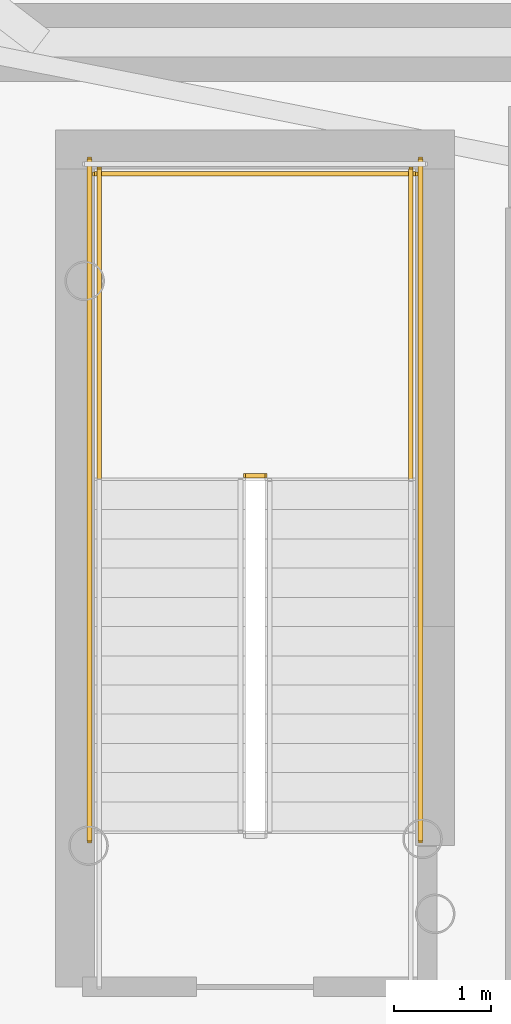
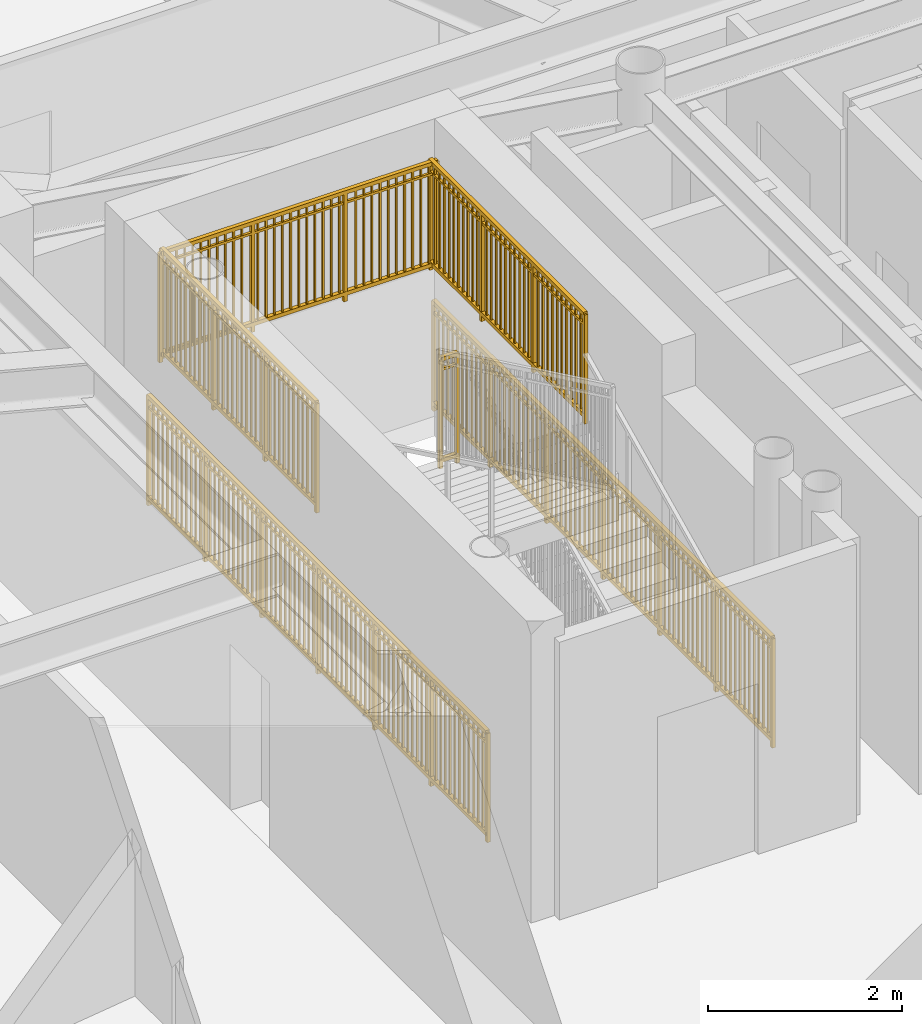
# One storey, part 18 of 21: 6 railings.
"""IFC4 building model written with IfcOpenShell, lengths in metres."""

from ifc_helpers import new_model, si_unit, direction, frame, origin, origin_2d, place, context, subcontext, project, spatial, rectangle, extrude, source, transform, mapped, material, type_object, element, save


model = new_model("IFC4")

# Units and contexts
model_context = context("Model", 3, precision=1e-05, world=origin(), true_north=direction((0.0, 1.0)))
body_context = subcontext(model_context, "Body", "Model", "MODEL_VIEW")
ifc_project = project(units=[si_unit("LENGTHUNIT", "METRE"), si_unit("AREAUNIT", "SQUARE_METRE"), si_unit("VOLUMEUNIT", "CUBIC_METRE"), si_unit("PLANEANGLEUNIT", "RADIAN"), si_unit("MASSUNIT", "GRAM", prefix="KILO")], contexts=[model_context])

# Site, building, storey
site_placement = place(None, origin())
site = spatial("IfcSite", under=ifc_project, at=site_placement, CompositionType="ELEMENT")
building_placement = place(site_placement, origin())
building = spatial("IfcBuilding", under=site, at=building_placement, Name="Linh Dai School and Residence Tower", CompositionType="ELEMENT")
storey_placement = place(building_placement, frame((0.0, 0.0, 134.699951171875)))
storey = spatial("IfcBuildingStorey", under=building, at=storey_placement, Name="L32", CompositionType="ELEMENT", Elevation=134.699951171875)

# Railings
ifc_material = material(Name="Structural Steel S355JR", Category="steel")
railing_type = type_object("IfcRailingType", Name="RL-ST-GUARD-1400", PredefinedType="GUARDRAIL", material=ifc_material)
shared_shape_1 = source(origin(), body_context, "Body", "SweptSolid", [
    extrude(rectangle(XDim=0.048095703125, YDim=0.048095703125, at=origin_2d()), frame((0.0, 0.0, 1.3759765625), z_axis=(-1.0, 0.0, 0.0), x_axis=(0.0, -1.0, 0.0)), (0.0, 0.0, 1.0), 0.199951171875),
    extrude(rectangle(XDim=0.048095703125, YDim=0.048095703125, at=origin_2d()), frame((0.0, 0.0, 0.10009765625), z_axis=(-1.0, 0.0, 0.0), x_axis=(0.0, -1.0, 0.0)), (0.0, 0.0, 1.0), 0.199951171875),
    extrude(rectangle(XDim=0.030029296875, YDim=0.030029296875, at=origin_2d()), frame((0.0, 0.0, 1.239990234375), z_axis=(-1.0, 0.0, 0.0), x_axis=(0.0, -1.0, 0.0)), (0.0, 0.0, 1.0), 0.199951171875),
    extrude(rectangle(XDim=0.0419921875, YDim=0.0419921875, at=origin_2d()), origin(), (0.0, 0.0, 1.0), 1.3759765625),
    extrude(rectangle(XDim=0.0419921875, YDim=0.0419921875, at=origin_2d()), frame((-0.199951171875, 0.0, 0.0)), (0.0, 0.0, 1.0), 1.3759765625),
])
railing_1_placement = place(storey_placement, frame((29.429931640625, 29.35009765625, 1.875)))
element("IfcRailing", 1, at=railing_1_placement, inside=storey, type_object=railing_type, Name="L32 ST1 stair guard 2", PredefinedType="GUARDRAIL", context=body_context, shape_type="MappedRepresentation", body=[
    mapped(shared_shape_1, transform((0.0, 0.0, 0.0), x_axis=(1.0, 0.0, 0.0), y_axis=(0.0, 1.0, 0.0), z_axis=(0.0, 0.0, 1.0), scale=1.0)),
])
shared_shape_2 = source(origin(), body_context, "Body", "SweptSolid", [
    extrude(rectangle(XDim=0.048095703125, YDim=0.048095703125, at=origin_2d()), frame((0.0, 0.0, 1.3759765625), z_axis=(-1.0, 0.0, 0.0), x_axis=(0.0, -1.0, 0.0)), (0.0, 0.0, 1.0), 3.300048828125),
    extrude(rectangle(XDim=0.048095703125, YDim=0.048095703125, at=origin_2d()), frame((0.0, 0.0, 0.10009765625), z_axis=(-1.0, 0.0, 0.0), x_axis=(0.0, -1.0, 0.0)), (0.0, 0.0, 1.0), 3.300048828125),
    extrude(rectangle(XDim=0.030029296875, YDim=0.030029296875, at=origin_2d()), frame((0.0, 0.0, 1.239990234375), z_axis=(-1.0, 0.0, 0.0), x_axis=(0.0, -1.0, 0.0)), (0.0, 0.0, 1.0), 3.300048828125),
    extrude(rectangle(XDim=0.02001953125, YDim=0.02001953125, at=origin_2d()), frame((-0.09716796875, 0.0, 0.10009765625)), (0.0, 0.0, 1.0), 1.251708984375),
    extrude(rectangle(XDim=0.02001953125, YDim=0.02001953125, at=origin_2d()), frame((-0.194091796875, 0.0, 0.10009765625)), (0.0, 0.0, 1.0), 1.251708984375),
    extrude(rectangle(XDim=0.02001953125, YDim=0.02001953125, at=origin_2d()), frame((-0.291259765625, 0.0, 0.10009765625)), (0.0, 0.0, 1.0), 1.251708984375),
    extrude(rectangle(XDim=0.02001953125, YDim=0.02001953125, at=origin_2d()), frame((-0.38818359375, 0.0, 0.10009765625)), (0.0, 0.0, 1.0), 1.251708984375),
    extrude(rectangle(XDim=0.02001953125, YDim=0.02001953125, at=origin_2d()), frame((-0.4853515625, 0.0, 0.10009765625)), (0.0, 0.0, 1.0), 1.251708984375),
    extrude(rectangle(XDim=0.02001953125, YDim=0.02001953125, at=origin_2d()), frame((-0.582275390625, 0.0, 0.10009765625)), (0.0, 0.0, 1.0), 1.251708984375),
    extrude(rectangle(XDim=0.02001953125, YDim=0.02001953125, at=origin_2d()), frame((-0.679443359375, 0.0, 0.10009765625)), (0.0, 0.0, 1.0), 1.251708984375),
    extrude(rectangle(XDim=0.02001953125, YDim=0.02001953125, at=origin_2d()), frame((-0.7763671875, 0.0, 0.10009765625)), (0.0, 0.0, 1.0), 1.251708984375),
    extrude(rectangle(XDim=0.02001953125, YDim=0.02001953125, at=origin_2d()), frame((-0.87353515625, 0.0, 0.10009765625)), (0.0, 0.0, 1.0), 1.251708984375),
    extrude(rectangle(XDim=0.02001953125, YDim=0.02001953125, at=origin_2d()), frame((-0.970703125, 0.0, 0.10009765625)), (0.0, 0.0, 1.0), 1.251708984375),
    extrude(rectangle(XDim=0.02001953125, YDim=0.02001953125, at=origin_2d()), frame((-1.164794921875, 0.0, 0.10009765625)), (0.0, 0.0, 1.0), 1.251708984375),
    extrude(rectangle(XDim=0.02001953125, YDim=0.02001953125, at=origin_2d()), frame((-1.26171875, 0.0, 0.10009765625)), (0.0, 0.0, 1.0), 1.251708984375),
    extrude(rectangle(XDim=0.02001953125, YDim=0.02001953125, at=origin_2d()), frame((-1.35888671875, 0.0, 0.10009765625)), (0.0, 0.0, 1.0), 1.251708984375),
    extrude(rectangle(XDim=0.02001953125, YDim=0.02001953125, at=origin_2d()), frame((-1.455810546875, 0.0, 0.10009765625)), (0.0, 0.0, 1.0), 1.251708984375),
    extrude(rectangle(XDim=0.02001953125, YDim=0.02001953125, at=origin_2d()), frame((-1.552978515625, 0.0, 0.10009765625)), (0.0, 0.0, 1.0), 1.251708984375),
    extrude(rectangle(XDim=0.02001953125, YDim=0.02001953125, at=origin_2d()), frame((-1.64990234375, 0.0, 0.10009765625)), (0.0, 0.0, 1.0), 1.251708984375),
    extrude(rectangle(XDim=0.02001953125, YDim=0.02001953125, at=origin_2d()), frame((-1.7470703125, 0.0, 0.10009765625)), (0.0, 0.0, 1.0), 1.251708984375),
    extrude(rectangle(XDim=0.02001953125, YDim=0.02001953125, at=origin_2d()), frame((-1.84423828125, 0.0, 0.10009765625)), (0.0, 0.0, 1.0), 1.251708984375),
    extrude(rectangle(XDim=0.02001953125, YDim=0.02001953125, at=origin_2d()), frame((-1.941162109375, 0.0, 0.10009765625)), (0.0, 0.0, 1.0), 1.251708984375),
    extrude(rectangle(XDim=0.02001953125, YDim=0.02001953125, at=origin_2d()), frame((-2.038330078125, 0.0, 0.10009765625)), (0.0, 0.0, 1.0), 1.251708984375),
    extrude(rectangle(XDim=0.02001953125, YDim=0.02001953125, at=origin_2d()), frame((-2.13525390625, 0.0, 0.10009765625)), (0.0, 0.0, 1.0), 1.251708984375),
    extrude(rectangle(XDim=0.02001953125, YDim=0.02001953125, at=origin_2d()), frame((-2.329345703125, 0.0, 0.10009765625)), (0.0, 0.0, 1.0), 1.251708984375),
    extrude(rectangle(XDim=0.02001953125, YDim=0.02001953125, at=origin_2d()), frame((-2.426513671875, 0.0, 0.10009765625)), (0.0, 0.0, 1.0), 1.251708984375),
    extrude(rectangle(XDim=0.02001953125, YDim=0.02001953125, at=origin_2d()), frame((-2.523681640625, 0.0, 0.10009765625)), (0.0, 0.0, 1.0), 1.251708984375),
    extrude(rectangle(XDim=0.02001953125, YDim=0.02001953125, at=origin_2d()), frame((-2.62060546875, 0.0, 0.10009765625)), (0.0, 0.0, 1.0), 1.251708984375),
    extrude(rectangle(XDim=0.02001953125, YDim=0.02001953125, at=origin_2d()), frame((-2.7177734375, 0.0, 0.10009765625)), (0.0, 0.0, 1.0), 1.251708984375),
    extrude(rectangle(XDim=0.02001953125, YDim=0.02001953125, at=origin_2d()), frame((-2.814697265625, 0.0, 0.10009765625)), (0.0, 0.0, 1.0), 1.251708984375),
    extrude(rectangle(XDim=0.02001953125, YDim=0.02001953125, at=origin_2d()), frame((-2.911865234375, 0.0, 0.10009765625)), (0.0, 0.0, 1.0), 1.251708984375),
    extrude(rectangle(XDim=0.02001953125, YDim=0.02001953125, at=origin_2d()), frame((-3.0087890625, 0.0, 0.10009765625)), (0.0, 0.0, 1.0), 1.251708984375),
    extrude(rectangle(XDim=0.02001953125, YDim=0.02001953125, at=origin_2d()), frame((-3.10595703125, 0.0, 0.10009765625)), (0.0, 0.0, 1.0), 1.251708984375),
    extrude(rectangle(XDim=0.02001953125, YDim=0.02001953125, at=origin_2d()), frame((-3.202880859375, 0.0, 0.10009765625)), (0.0, 0.0, 1.0), 1.251708984375),
    extrude(rectangle(XDim=0.0419921875, YDim=0.0419921875, at=origin_2d()), origin(), (0.0, 0.0, 1.0), 1.3759765625),
    extrude(rectangle(XDim=0.0419921875, YDim=0.0419921875, at=origin_2d()), frame((-1.10009765625, 0.0, 0.0)), (0.0, 0.0, 1.0), 1.3759765625),
    extrude(rectangle(XDim=0.0419921875, YDim=0.0419921875, at=origin_2d()), frame((-2.199951171875, 0.0, 0.0)), (0.0, 0.0, 1.0), 1.3759765625),
    extrude(rectangle(XDim=0.0419921875, YDim=0.0419921875, at=origin_2d()), frame((-3.300048828125, 0.0, 0.0)), (0.0, 0.0, 1.0), 1.3759765625),
])
railing_2_placement = place(storey_placement, frame((30.97998046875, 32.449951171875, 1.875)))
element("IfcRailing", 2, at=railing_2_placement, inside=storey, type_object=railing_type, Name="L32 ST1 stair guard 5", PredefinedType="GUARDRAIL", context=body_context, shape_type="MappedRepresentation", body=[
    mapped(shared_shape_2, transform((0.0, 0.0, 0.0), x_axis=(1.0, 0.0, 0.0), y_axis=(0.0, 1.0, 0.0), z_axis=(0.0, 0.0, 1.0), scale=1.0)),
])
shared_shape_3 = source(origin(), body_context, "Body", "SweptSolid", [
    extrude(rectangle(XDim=0.048095703125, YDim=0.048095703125, at=origin_2d()), frame((0.0, 0.0, 1.3759765625), z_axis=(0.0, 1.0, 0.0), x_axis=(-1.0, 0.0, 0.0)), (0.0, 0.0, 1.0), 7.0),
    extrude(rectangle(XDim=0.048095703125, YDim=0.048095703125, at=origin_2d()), frame((0.0, 0.0, 0.10009765625), z_axis=(0.0, 1.0, 0.0), x_axis=(-1.0, 0.0, 0.0)), (0.0, 0.0, 1.0), 7.0),
    extrude(rectangle(XDim=0.030029296875, YDim=0.030029296875, at=origin_2d()), frame((0.0, 0.0, 1.239990234375), z_axis=(0.0, 1.0, 0.0), x_axis=(-1.0, 0.0, 0.0)), (0.0, 0.0, 1.0), 7.0),
    extrude(rectangle(XDim=0.02001953125, YDim=0.02001953125, at=origin_2d()), frame((0.0, 0.09716796875, 0.10009765625)), (0.0, 0.0, 1.0), 1.251708984375),
    extrude(rectangle(XDim=0.02001953125, YDim=0.02001953125, at=origin_2d()), frame((0.0, 0.1943359375, 0.10009765625)), (0.0, 0.0, 1.0), 1.251708984375),
    extrude(rectangle(XDim=0.02001953125, YDim=0.02001953125, at=origin_2d()), frame((0.0, 0.291748046875, 0.10009765625)), (0.0, 0.0, 1.0), 1.251708984375),
    extrude(rectangle(XDim=0.02001953125, YDim=0.02001953125, at=origin_2d()), frame((0.0, 0.388916015625, 0.10009765625)), (0.0, 0.0, 1.0), 1.251708984375),
    extrude(rectangle(XDim=0.02001953125, YDim=0.02001953125, at=origin_2d()), frame((0.0, 0.486083984375, 0.10009765625)), (0.0, 0.0, 1.0), 1.251708984375),
    extrude(rectangle(XDim=0.02001953125, YDim=0.02001953125, at=origin_2d()), frame((0.0, 0.583251953125, 0.10009765625)), (0.0, 0.0, 1.0), 1.251708984375),
    extrude(rectangle(XDim=0.02001953125, YDim=0.02001953125, at=origin_2d()), frame((0.0, 0.6806640625, 0.10009765625)), (0.0, 0.0, 1.0), 1.251708984375),
    extrude(rectangle(XDim=0.02001953125, YDim=0.02001953125, at=origin_2d()), frame((0.0, 0.77783203125, 0.10009765625)), (0.0, 0.0, 1.0), 1.251708984375),
    extrude(rectangle(XDim=0.02001953125, YDim=0.02001953125, at=origin_2d()), frame((0.0, 0.875, 0.10009765625)), (0.0, 0.0, 1.0), 1.251708984375),
    extrude(rectangle(XDim=0.02001953125, YDim=0.02001953125, at=origin_2d()), frame((0.0, 0.97216796875, 0.10009765625)), (0.0, 0.0, 1.0), 1.251708984375),
    extrude(rectangle(XDim=0.02001953125, YDim=0.02001953125, at=origin_2d()), frame((0.0, 1.0693359375, 0.10009765625)), (0.0, 0.0, 1.0), 1.251708984375),
    extrude(rectangle(XDim=0.02001953125, YDim=0.02001953125, at=origin_2d()), frame((0.0, 1.263916015625, 0.10009765625)), (0.0, 0.0, 1.0), 1.251708984375),
    extrude(rectangle(XDim=0.02001953125, YDim=0.02001953125, at=origin_2d()), frame((0.0, 1.361083984375, 0.10009765625)), (0.0, 0.0, 1.0), 1.251708984375),
    extrude(rectangle(XDim=0.02001953125, YDim=0.02001953125, at=origin_2d()), frame((0.0, 1.458251953125, 0.10009765625)), (0.0, 0.0, 1.0), 1.251708984375),
    extrude(rectangle(XDim=0.02001953125, YDim=0.02001953125, at=origin_2d()), frame((0.0, 1.5556640625, 0.10009765625)), (0.0, 0.0, 1.0), 1.251708984375),
    extrude(rectangle(XDim=0.02001953125, YDim=0.02001953125, at=origin_2d()), frame((0.0, 1.65283203125, 0.10009765625)), (0.0, 0.0, 1.0), 1.251708984375),
    extrude(rectangle(XDim=0.02001953125, YDim=0.02001953125, at=origin_2d()), frame((0.0, 1.75, 0.10009765625)), (0.0, 0.0, 1.0), 1.251708984375),
    extrude(rectangle(XDim=0.02001953125, YDim=0.02001953125, at=origin_2d()), frame((0.0, 1.84716796875, 0.10009765625)), (0.0, 0.0, 1.0), 1.251708984375),
    extrude(rectangle(XDim=0.02001953125, YDim=0.02001953125, at=origin_2d()), frame((0.0, 1.9443359375, 0.10009765625)), (0.0, 0.0, 1.0), 1.251708984375),
    extrude(rectangle(XDim=0.02001953125, YDim=0.02001953125, at=origin_2d()), frame((0.0, 2.041748046875, 0.10009765625)), (0.0, 0.0, 1.0), 1.251708984375),
    extrude(rectangle(XDim=0.02001953125, YDim=0.02001953125, at=origin_2d()), frame((0.0, 2.138916015625, 0.10009765625)), (0.0, 0.0, 1.0), 1.251708984375),
    extrude(rectangle(XDim=0.02001953125, YDim=0.02001953125, at=origin_2d()), frame((0.0, 2.236083984375, 0.10009765625)), (0.0, 0.0, 1.0), 1.251708984375),
    extrude(rectangle(XDim=0.02001953125, YDim=0.02001953125, at=origin_2d()), frame((0.0, 2.4306640625, 0.10009765625)), (0.0, 0.0, 1.0), 1.251708984375),
    extrude(rectangle(XDim=0.02001953125, YDim=0.02001953125, at=origin_2d()), frame((0.0, 2.52783203125, 0.10009765625)), (0.0, 0.0, 1.0), 1.251708984375),
    extrude(rectangle(XDim=0.02001953125, YDim=0.02001953125, at=origin_2d()), frame((0.0, 2.625, 0.10009765625)), (0.0, 0.0, 1.0), 1.251708984375),
    extrude(rectangle(XDim=0.02001953125, YDim=0.02001953125, at=origin_2d()), frame((0.0, 2.72216796875, 0.10009765625)), (0.0, 0.0, 1.0), 1.251708984375),
    extrude(rectangle(XDim=0.02001953125, YDim=0.02001953125, at=origin_2d()), frame((0.0, 2.8193359375, 0.10009765625)), (0.0, 0.0, 1.0), 1.251708984375),
    extrude(rectangle(XDim=0.02001953125, YDim=0.02001953125, at=origin_2d()), frame((0.0, 2.916748046875, 0.10009765625)), (0.0, 0.0, 1.0), 1.251708984375),
    extrude(rectangle(XDim=0.02001953125, YDim=0.02001953125, at=origin_2d()), frame((0.0, 3.013916015625, 0.10009765625)), (0.0, 0.0, 1.0), 1.251708984375),
    extrude(rectangle(XDim=0.02001953125, YDim=0.02001953125, at=origin_2d()), frame((0.0, 3.111083984375, 0.10009765625)), (0.0, 0.0, 1.0), 1.251708984375),
    extrude(rectangle(XDim=0.02001953125, YDim=0.02001953125, at=origin_2d()), frame((0.0, 3.208251953125, 0.10009765625)), (0.0, 0.0, 1.0), 1.251708984375),
    extrude(rectangle(XDim=0.02001953125, YDim=0.02001953125, at=origin_2d()), frame((0.0, 3.3056640625, 0.10009765625)), (0.0, 0.0, 1.0), 1.251708984375),
    extrude(rectangle(XDim=0.02001953125, YDim=0.02001953125, at=origin_2d()), frame((0.0, 3.40283203125, 0.10009765625)), (0.0, 0.0, 1.0), 1.251708984375),
    extrude(rectangle(XDim=0.02001953125, YDim=0.02001953125, at=origin_2d()), frame((0.0, 3.59716796875, 0.10009765625)), (0.0, 0.0, 1.0), 1.251708984375),
    extrude(rectangle(XDim=0.02001953125, YDim=0.02001953125, at=origin_2d()), frame((0.0, 3.6943359375, 0.10009765625)), (0.0, 0.0, 1.0), 1.251708984375),
    extrude(rectangle(XDim=0.02001953125, YDim=0.02001953125, at=origin_2d()), frame((0.0, 3.791748046875, 0.10009765625)), (0.0, 0.0, 1.0), 1.251708984375),
    extrude(rectangle(XDim=0.02001953125, YDim=0.02001953125, at=origin_2d()), frame((0.0, 3.888916015625, 0.10009765625)), (0.0, 0.0, 1.0), 1.251708984375),
    extrude(rectangle(XDim=0.02001953125, YDim=0.02001953125, at=origin_2d()), frame((0.0, 3.986083984375, 0.10009765625)), (0.0, 0.0, 1.0), 1.251708984375),
    extrude(rectangle(XDim=0.02001953125, YDim=0.02001953125, at=origin_2d()), frame((0.0, 4.083251953125, 0.10009765625)), (0.0, 0.0, 1.0), 1.251708984375),
    extrude(rectangle(XDim=0.02001953125, YDim=0.02001953125, at=origin_2d()), frame((0.0, 4.1806640625, 0.10009765625)), (0.0, 0.0, 1.0), 1.251708984375),
    extrude(rectangle(XDim=0.02001953125, YDim=0.02001953125, at=origin_2d()), frame((0.0, 4.27783203125, 0.10009765625)), (0.0, 0.0, 1.0), 1.251708984375),
    extrude(rectangle(XDim=0.02001953125, YDim=0.02001953125, at=origin_2d()), frame((0.0, 4.375, 0.10009765625)), (0.0, 0.0, 1.0), 1.251708984375),
    extrude(rectangle(XDim=0.02001953125, YDim=0.02001953125, at=origin_2d()), frame((0.0, 4.47216796875, 0.10009765625)), (0.0, 0.0, 1.0), 1.251708984375),
    extrude(rectangle(XDim=0.02001953125, YDim=0.02001953125, at=origin_2d()), frame((0.0, 4.5693359375, 0.10009765625)), (0.0, 0.0, 1.0), 1.251708984375),
    extrude(rectangle(XDim=0.02001953125, YDim=0.02001953125, at=origin_2d()), frame((0.0, 4.763916015625, 0.10009765625)), (0.0, 0.0, 1.0), 1.251708984375),
    extrude(rectangle(XDim=0.02001953125, YDim=0.02001953125, at=origin_2d()), frame((0.0, 4.861083984375, 0.10009765625)), (0.0, 0.0, 1.0), 1.251708984375),
    extrude(rectangle(XDim=0.02001953125, YDim=0.02001953125, at=origin_2d()), frame((0.0, 4.958251953125, 0.10009765625)), (0.0, 0.0, 1.0), 1.251708984375),
    extrude(rectangle(XDim=0.02001953125, YDim=0.02001953125, at=origin_2d()), frame((0.0, 5.0556640625, 0.10009765625)), (0.0, 0.0, 1.0), 1.251708984375),
    extrude(rectangle(XDim=0.02001953125, YDim=0.02001953125, at=origin_2d()), frame((0.0, 5.15283203125, 0.10009765625)), (0.0, 0.0, 1.0), 1.251708984375),
    extrude(rectangle(XDim=0.02001953125, YDim=0.02001953125, at=origin_2d()), frame((0.0, 5.25, 0.10009765625)), (0.0, 0.0, 1.0), 1.251708984375),
    extrude(rectangle(XDim=0.02001953125, YDim=0.02001953125, at=origin_2d()), frame((0.0, 5.34716796875, 0.10009765625)), (0.0, 0.0, 1.0), 1.251708984375),
    extrude(rectangle(XDim=0.02001953125, YDim=0.02001953125, at=origin_2d()), frame((0.0, 5.4443359375, 0.10009765625)), (0.0, 0.0, 1.0), 1.251708984375),
    extrude(rectangle(XDim=0.02001953125, YDim=0.02001953125, at=origin_2d()), frame((0.0, 5.541748046875, 0.10009765625)), (0.0, 0.0, 1.0), 1.251708984375),
    extrude(rectangle(XDim=0.02001953125, YDim=0.02001953125, at=origin_2d()), frame((0.0, 5.638916015625, 0.10009765625)), (0.0, 0.0, 1.0), 1.251708984375),
    extrude(rectangle(XDim=0.02001953125, YDim=0.02001953125, at=origin_2d()), frame((0.0, 5.736083984375, 0.10009765625)), (0.0, 0.0, 1.0), 1.251708984375),
    extrude(rectangle(XDim=0.02001953125, YDim=0.02001953125, at=origin_2d()), frame((0.0, 5.9306640625, 0.10009765625)), (0.0, 0.0, 1.0), 1.251708984375),
    extrude(rectangle(XDim=0.02001953125, YDim=0.02001953125, at=origin_2d()), frame((0.0, 6.02783203125, 0.10009765625)), (0.0, 0.0, 1.0), 1.251708984375),
    extrude(rectangle(XDim=0.02001953125, YDim=0.02001953125, at=origin_2d()), frame((0.0, 6.125, 0.10009765625)), (0.0, 0.0, 1.0), 1.251708984375),
    extrude(rectangle(XDim=0.02001953125, YDim=0.02001953125, at=origin_2d()), frame((0.0, 6.22216796875, 0.10009765625)), (0.0, 0.0, 1.0), 1.251708984375),
    extrude(rectangle(XDim=0.02001953125, YDim=0.02001953125, at=origin_2d()), frame((0.0, 6.3193359375, 0.10009765625)), (0.0, 0.0, 1.0), 1.251708984375),
    extrude(rectangle(XDim=0.02001953125, YDim=0.02001953125, at=origin_2d()), frame((0.0, 6.416748046875, 0.10009765625)), (0.0, 0.0, 1.0), 1.251708984375),
    extrude(rectangle(XDim=0.02001953125, YDim=0.02001953125, at=origin_2d()), frame((0.0, 6.513916015625, 0.10009765625)), (0.0, 0.0, 1.0), 1.251708984375),
    extrude(rectangle(XDim=0.02001953125, YDim=0.02001953125, at=origin_2d()), frame((0.0, 6.611083984375, 0.10009765625)), (0.0, 0.0, 1.0), 1.251708984375),
    extrude(rectangle(XDim=0.02001953125, YDim=0.02001953125, at=origin_2d()), frame((0.0, 6.708251953125, 0.10009765625)), (0.0, 0.0, 1.0), 1.251708984375),
    extrude(rectangle(XDim=0.02001953125, YDim=0.02001953125, at=origin_2d()), frame((0.0, 6.8056640625, 0.10009765625)), (0.0, 0.0, 1.0), 1.251708984375),
    extrude(rectangle(XDim=0.02001953125, YDim=0.02001953125, at=origin_2d()), frame((0.0, 6.90283203125, 0.10009765625)), (0.0, 0.0, 1.0), 1.251708984375),
    extrude(rectangle(XDim=0.0419921875, YDim=0.0419921875, at=origin_2d()), origin(), (0.0, 0.0, 1.0), 1.3759765625),
    extrude(rectangle(XDim=0.0419921875, YDim=0.0419921875, at=origin_2d()), frame((0.0, 1.166748046875, 0.0)), (0.0, 0.0, 1.0), 1.3759765625),
    extrude(rectangle(XDim=0.0419921875, YDim=0.0419921875, at=origin_2d()), frame((0.0, 2.333251953125, 0.0)), (0.0, 0.0, 1.0), 1.3759765625),
    extrude(rectangle(XDim=0.0419921875, YDim=0.0419921875, at=origin_2d()), frame((0.0, 3.5, 0.0)), (0.0, 0.0, 1.0), 1.3759765625),
    extrude(rectangle(XDim=0.0419921875, YDim=0.0419921875, at=origin_2d()), frame((0.0, 4.666748046875, 0.0)), (0.0, 0.0, 1.0), 1.3759765625),
    extrude(rectangle(XDim=0.0419921875, YDim=0.0419921875, at=origin_2d()), frame((0.0, 5.833251953125, 0.0)), (0.0, 0.0, 1.0), 1.3759765625),
    extrude(rectangle(XDim=0.0419921875, YDim=0.0419921875, at=origin_2d()), frame((0.0, 7.0, 0.0)), (0.0, 0.0, 1.0), 1.3759765625),
])
for number, where, name in (
    (3, (31.030029296875, 25.60009765625, 0.0), "L32 ST1 stair guard 10"),
    (4, (27.6298828125, 25.60009765625, 0.0), "L32 ST1 stair guard 11"),
):
    element("IfcRailing", number, at=place(storey_placement, frame(where)), inside=storey, type_object=railing_type, Name=name, PredefinedType="GUARDRAIL", context=body_context, shape_type="MappedRepresentation", body=[
        mapped(shared_shape_3, transform((0.0, 0.0, 0.0), x_axis=(1.0, 0.0, 0.0), y_axis=(0.0, 1.0, 0.0), z_axis=(0.0, 0.0, 1.0), scale=1.0)),
    ])
shared_shape_4 = source(origin(), body_context, "Body", "SweptSolid", [
    extrude(rectangle(XDim=0.048095703125, YDim=0.048095703125, at=origin_2d()), frame((0.0, 0.0, 1.3759765625), z_axis=(0.0, 1.0, 0.0), x_axis=(-1.0, 0.0, 0.0)), (0.0, 0.0, 1.0), 3.199951171875),
    extrude(rectangle(XDim=0.048095703125, YDim=0.048095703125, at=origin_2d()), frame((0.0, 0.0, 0.10009765625), z_axis=(0.0, 1.0, 0.0), x_axis=(-1.0, 0.0, 0.0)), (0.0, 0.0, 1.0), 3.199951171875),
    extrude(rectangle(XDim=0.030029296875, YDim=0.030029296875, at=origin_2d()), frame((0.0, 0.0, 1.239990234375), z_axis=(0.0, 1.0, 0.0), x_axis=(-1.0, 0.0, 0.0)), (0.0, 0.0, 1.0), 3.199951171875),
    extrude(rectangle(XDim=0.02001953125, YDim=0.02001953125, at=origin_2d()), frame((0.0, 0.096923828125, 0.10009765625)), (0.0, 0.0, 1.0), 1.251708984375),
    extrude(rectangle(XDim=0.02001953125, YDim=0.02001953125, at=origin_2d()), frame((0.0, 0.19384765625, 0.10009765625)), (0.0, 0.0, 1.0), 1.251708984375),
    extrude(rectangle(XDim=0.02001953125, YDim=0.02001953125, at=origin_2d()), frame((0.0, 0.291015625, 0.10009765625)), (0.0, 0.0, 1.0), 1.251708984375),
    extrude(rectangle(XDim=0.02001953125, YDim=0.02001953125, at=origin_2d()), frame((0.0, 0.387939453125, 0.10009765625)), (0.0, 0.0, 1.0), 1.251708984375),
    extrude(rectangle(XDim=0.02001953125, YDim=0.02001953125, at=origin_2d()), frame((0.0, 0.48486328125, 0.10009765625)), (0.0, 0.0, 1.0), 1.251708984375),
    extrude(rectangle(XDim=0.02001953125, YDim=0.02001953125, at=origin_2d()), frame((0.0, 0.581787109375, 0.10009765625)), (0.0, 0.0, 1.0), 1.251708984375),
    extrude(rectangle(XDim=0.02001953125, YDim=0.02001953125, at=origin_2d()), frame((0.0, 0.6787109375, 0.10009765625)), (0.0, 0.0, 1.0), 1.251708984375),
    extrude(rectangle(XDim=0.02001953125, YDim=0.02001953125, at=origin_2d()), frame((0.0, 0.775634765625, 0.10009765625)), (0.0, 0.0, 1.0), 1.251708984375),
    extrude(rectangle(XDim=0.02001953125, YDim=0.02001953125, at=origin_2d()), frame((0.0, 0.872802734375, 0.10009765625)), (0.0, 0.0, 1.0), 1.251708984375),
    extrude(rectangle(XDim=0.02001953125, YDim=0.02001953125, at=origin_2d()), frame((0.0, 0.9697265625, 0.10009765625)), (0.0, 0.0, 1.0), 1.251708984375),
    extrude(rectangle(XDim=0.02001953125, YDim=0.02001953125, at=origin_2d()), frame((0.0, 1.16357421875, 0.10009765625)), (0.0, 0.0, 1.0), 1.251708984375),
    extrude(rectangle(XDim=0.02001953125, YDim=0.02001953125, at=origin_2d()), frame((0.0, 1.260498046875, 0.10009765625)), (0.0, 0.0, 1.0), 1.251708984375),
    extrude(rectangle(XDim=0.02001953125, YDim=0.02001953125, at=origin_2d()), frame((0.0, 1.357666015625, 0.10009765625)), (0.0, 0.0, 1.0), 1.251708984375),
    extrude(rectangle(XDim=0.02001953125, YDim=0.02001953125, at=origin_2d()), frame((0.0, 1.45458984375, 0.10009765625)), (0.0, 0.0, 1.0), 1.251708984375),
    extrude(rectangle(XDim=0.02001953125, YDim=0.02001953125, at=origin_2d()), frame((0.0, 1.551513671875, 0.10009765625)), (0.0, 0.0, 1.0), 1.251708984375),
    extrude(rectangle(XDim=0.02001953125, YDim=0.02001953125, at=origin_2d()), frame((0.0, 1.6484375, 0.10009765625)), (0.0, 0.0, 1.0), 1.251708984375),
    extrude(rectangle(XDim=0.02001953125, YDim=0.02001953125, at=origin_2d()), frame((0.0, 1.745361328125, 0.10009765625)), (0.0, 0.0, 1.0), 1.251708984375),
    extrude(rectangle(XDim=0.02001953125, YDim=0.02001953125, at=origin_2d()), frame((0.0, 1.84228515625, 0.10009765625)), (0.0, 0.0, 1.0), 1.251708984375),
    extrude(rectangle(XDim=0.02001953125, YDim=0.02001953125, at=origin_2d()), frame((0.0, 1.939453125, 0.10009765625)), (0.0, 0.0, 1.0), 1.251708984375),
    extrude(rectangle(XDim=0.02001953125, YDim=0.02001953125, at=origin_2d()), frame((0.0, 2.036376953125, 0.10009765625)), (0.0, 0.0, 1.0), 1.251708984375),
    extrude(rectangle(XDim=0.02001953125, YDim=0.02001953125, at=origin_2d()), frame((0.0, 2.230224609375, 0.10009765625)), (0.0, 0.0, 1.0), 1.251708984375),
    extrude(rectangle(XDim=0.02001953125, YDim=0.02001953125, at=origin_2d()), frame((0.0, 2.3271484375, 0.10009765625)), (0.0, 0.0, 1.0), 1.251708984375),
    extrude(rectangle(XDim=0.02001953125, YDim=0.02001953125, at=origin_2d()), frame((0.0, 2.42431640625, 0.10009765625)), (0.0, 0.0, 1.0), 1.251708984375),
    extrude(rectangle(XDim=0.02001953125, YDim=0.02001953125, at=origin_2d()), frame((0.0, 2.521240234375, 0.10009765625)), (0.0, 0.0, 1.0), 1.251708984375),
    extrude(rectangle(XDim=0.02001953125, YDim=0.02001953125, at=origin_2d()), frame((0.0, 2.6181640625, 0.10009765625)), (0.0, 0.0, 1.0), 1.251708984375),
    extrude(rectangle(XDim=0.02001953125, YDim=0.02001953125, at=origin_2d()), frame((0.0, 2.715087890625, 0.10009765625)), (0.0, 0.0, 1.0), 1.251708984375),
    extrude(rectangle(XDim=0.02001953125, YDim=0.02001953125, at=origin_2d()), frame((0.0, 2.81201171875, 0.10009765625)), (0.0, 0.0, 1.0), 1.251708984375),
    extrude(rectangle(XDim=0.02001953125, YDim=0.02001953125, at=origin_2d()), frame((0.0, 2.908935546875, 0.10009765625)), (0.0, 0.0, 1.0), 1.251708984375),
    extrude(rectangle(XDim=0.02001953125, YDim=0.02001953125, at=origin_2d()), frame((0.0, 3.006103515625, 0.10009765625)), (0.0, 0.0, 1.0), 1.251708984375),
    extrude(rectangle(XDim=0.02001953125, YDim=0.02001953125, at=origin_2d()), frame((0.0, 3.10302734375, 0.10009765625)), (0.0, 0.0, 1.0), 1.251708984375),
    extrude(rectangle(XDim=0.0419921875, YDim=0.0419921875, at=origin_2d()), origin(), (0.0, 0.0, 1.0), 1.3759765625),
    extrude(rectangle(XDim=0.0419921875, YDim=0.0419921875, at=origin_2d()), frame((0.0, 1.066650390625, 0.0)), (0.0, 0.0, 1.0), 1.3759765625),
    extrude(rectangle(XDim=0.0419921875, YDim=0.0419921875, at=origin_2d()), frame((0.0, 2.13330078125, 0.0)), (0.0, 0.0, 1.0), 1.3759765625),
    extrude(rectangle(XDim=0.0419921875, YDim=0.0419921875, at=origin_2d()), frame((0.0, 3.199951171875, 0.0)), (0.0, 0.0, 1.0), 1.3759765625),
])
for number, where, name in (
    (5, (30.929931640625, 29.300048828125, 1.875), "L32 ST1 stair guard 3"),
    (6, (27.72998046875, 29.300048828125, 1.875), "L32 ST1 stair guard 4"),
):
    element("IfcRailing", number, at=place(storey_placement, frame(where)), inside=storey, type_object=railing_type, Name=name, PredefinedType="GUARDRAIL", context=body_context, shape_type="MappedRepresentation", body=[
        mapped(shared_shape_4, transform((0.0, 0.0, 0.0), x_axis=(1.0, 0.0, 0.0), y_axis=(0.0, 1.0, 0.0), z_axis=(0.0, 0.0, 1.0), scale=1.0)),
    ])

save(model, "model.ifc")
